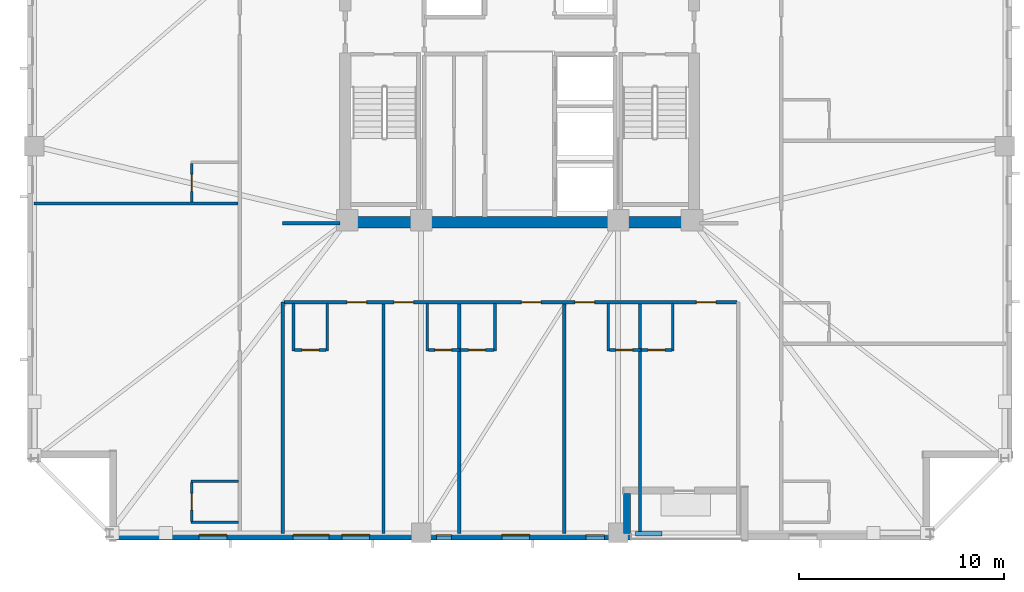
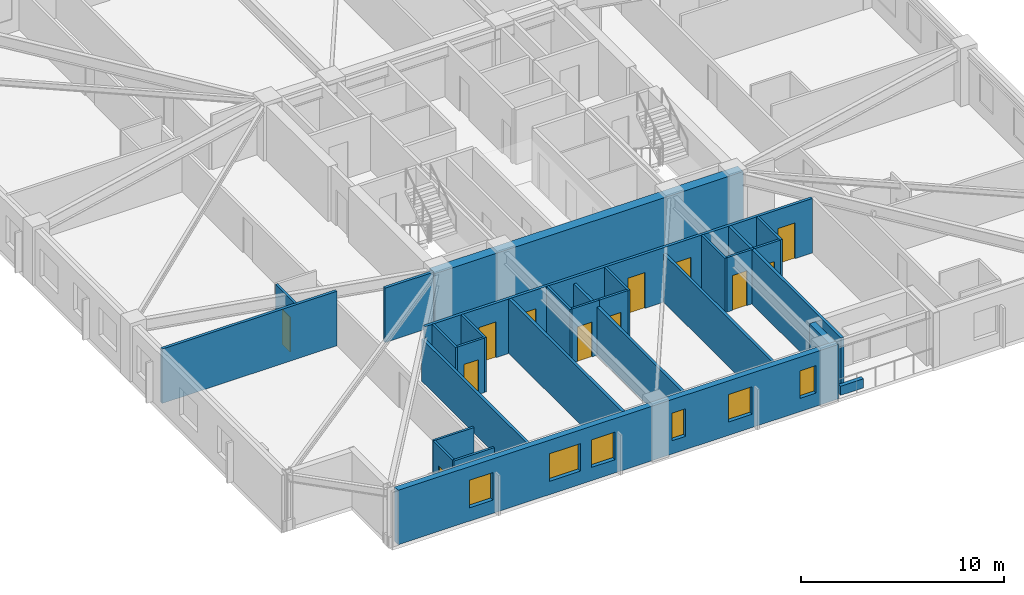
# One storey, part 2 of 11: 27 walls, 12 doors, 6 windows, 18 openings.
"""IFC4 building model written with IfcOpenShell, lengths in metres."""

import ifcopenshell
import ifcopenshell.guid

model = None  # the IFC model being written
_history = None  # IfcOwnerHistory: only IFC2X3 demands one
_inside = {}  # id of a spatial element -> (the spatial element, [elements in it])
_under = {}  # id of a project, library or spatial element -> (it, [spatial elements below it])
_declared = {}  # id of a project -> (the project, [libraries it declares])
_typed = {}  # id of a type object -> (the type object, [elements of that type])
_made_of = {}  # id of a material, layer set ... -> (it, [elements and type objects made of it])


def new_model(schema):
    """Start an empty IFC model of exactly this schema.

    Asked for "IFC4X3", IfcOpenShell would pick the latest addendum, in which some entities
    have other attributes; the version numbers below select the first issue.
    IFC2X3 requires an IfcOwnerHistory on every rooted entity: one is made here for all.
    """
    global model, _history
    if schema == "IFC4X3":
        model = ifcopenshell.file(schema_version=(4, 3, 0, 0))
    else:
        model = ifcopenshell.file(schema=schema)
    _inside.clear()
    _under.clear()
    _declared.clear()
    _typed.clear()
    _made_of.clear()
    _history = None
    if model.schema == "IFC2X3":
        org = make("IfcOrganization", Name="unknown")
        user = make(
            "IfcPersonAndOrganization",
            ThePerson=make("IfcPerson", FamilyName="unknown"),
            TheOrganization=org,
        )
        app = make(
            "IfcApplication",
            ApplicationDeveloper=org,
            Version="unknown",
            ApplicationFullName="unknown",
            ApplicationIdentifier="unknown",
        )
        _history = make(
            "IfcOwnerHistory",
            OwningUser=user,
            OwningApplication=app,
            ChangeAction="ADDED",
            CreationDate=0,
        )
    return model


def make(cls, **values):
    """One entity of the class cls with the attributes given. An attribute that is None is left unset."""
    return model.create_entity(
        cls, **{name: value for name, value in values.items() if value is not None}
    )


def rooted(cls, **values):
    """An entity with a GlobalId (a new one), such as an element, a storey or a relation."""
    return make(cls, GlobalId=ifcopenshell.guid.new(), OwnerHistory=_history, **values)


def si_unit(unit_type, name, prefix=None):
    """IfcSIUnit, for example si_unit("LENGTHUNIT", "METRE", prefix="MILLI")."""
    return make("IfcSIUnit", UnitType=unit_type, Prefix=prefix, Name=name)


def assignment(units):
    """IfcUnitAssignment: the units of a project."""
    return None if units is None else make("IfcUnitAssignment", Units=units)


def point(xyz):
    """IfcCartesianPoint."""
    return None if xyz is None else make("IfcCartesianPoint", Coordinates=xyz)


def direction(xyz):
    """IfcDirection."""
    return None if xyz is None else make("IfcDirection", DirectionRatios=xyz)


def frame(location, z_axis=None, x_axis=None):
    """IfcAxis2Placement3D, a coordinate frame: its origin and axes. An axis left out is left unset."""
    return make(
        "IfcAxis2Placement3D",
        Location=point(location),
        Axis=direction(z_axis),
        RefDirection=direction(x_axis),
    )


def frame_2d(location, x_axis=None):
    """IfcAxis2Placement2D, a coordinate frame in the plane: its origin and x axis."""
    return make(
        "IfcAxis2Placement2D", Location=point(location), RefDirection=direction(x_axis)
    )


def origin():
    """The frame at (0, 0, 0) with its axes left unset."""
    return frame((0.0, 0.0, 0.0))


def place(relative_to, where):
    """IfcLocalPlacement: puts the frame where relative to a parent placement (None: the world)."""
    return make(
        "IfcLocalPlacement", PlacementRelTo=relative_to, RelativePlacement=where
    )


def context(
    kind, dimensions, precision=None, world=None, true_north=None, identifier=None
):
    """IfcGeometricRepresentationContext, for example the 3D "Model" context."""
    return make(
        "IfcGeometricRepresentationContext",
        ContextIdentifier=identifier,
        ContextType=kind,
        CoordinateSpaceDimension=dimensions,
        Precision=precision,
        WorldCoordinateSystem=world,
        TrueNorth=true_north,
    )


def subcontext(parent, identifier, kind, view, scale=None):
    """IfcGeometricRepresentationSubContext, for example "Body" below "Model"."""
    return make(
        "IfcGeometricRepresentationSubContext",
        ContextIdentifier=identifier,
        ContextType=kind,
        ParentContext=parent,
        TargetScale=scale,
        TargetView=view,
    )


def project(units=None, contexts=None):
    """IfcProject with its units and contexts."""
    return rooted(
        "IfcProject",
        Name="project",
        RepresentationContexts=contexts,
        UnitsInContext=assignment(units),
    )


def spatial(cls, under=None, at=None, **own):
    """A site, building, storey or space (cls), placed at a placement, below another one or the project."""
    s = rooted(cls, ObjectPlacement=at, **own)
    if under is not None:
        _under.setdefault(under.id(), (under, []))[1].append(s)
    return s


def profile(cls, at=None, kind="AREA", **sizes):
    """A parametric profile (cls). Its sizes go by their IFC names, for example OverallWidth=200.0."""
    return make(cls, ProfileType=kind, Position=at, **sizes)


def rectangle(**sizes):
    """IfcRectangleProfileDef."""
    return profile("IfcRectangleProfileDef", **sizes)


def extrude(swept, where, along, depth):
    """IfcExtrudedAreaSolid: the profile swept, set in the frame where, extruded along a direction by depth."""
    return make(
        "IfcExtrudedAreaSolid",
        SweptArea=swept,
        Position=where,
        ExtrudedDirection=direction(along),
        Depth=depth,
    )


def shape(context_of_items, identifier, shape_type, items):
    """IfcShapeRepresentation: the items that make up one representation, for example the "Body"."""
    return make(
        "IfcShapeRepresentation",
        ContextOfItems=context_of_items,
        RepresentationIdentifier=identifier,
        RepresentationType=shape_type,
        Items=items,
    )


def material(Name=None, Category=None):
    """IfcMaterial."""
    return make("IfcMaterial", Name=Name, Category=Category)


def layer(
    of_material, thickness, ventilated=None, Name=None, Category=None, Priority=None
):
    """IfcMaterialLayer: one layer of a wall or slab, of a material (None: an air gap)."""
    return make(
        "IfcMaterialLayer",
        Material=of_material,
        LayerThickness=thickness,
        IsVentilated=ventilated,
        Name=Name,
        Category=Category,
        Priority=Priority,
    )


def layer_set(layers, Name=None):
    """IfcMaterialLayerSet."""
    return make("IfcMaterialLayerSet", MaterialLayers=layers, LayerSetName=Name)


def made_of(thing, what):
    """Note that an element or type object is made of a material, layer set ...; save() writes the relation."""
    if what is not None:
        _made_of.setdefault(what.id(), (what, []))[1].append(thing)
    return thing


def type_object(cls, material=None, **own):
    """A type object (cls), such as IfcWallType, which elements share."""
    return made_of(rooted(cls, **own), material)


def element(
    cls,
    number,
    at=None,
    inside=None,
    cuts=None,
    type_object=None,
    material=None,
    context=None,
    identifier="Body",
    shape_type=None,
    held_by="IfcProductDefinitionShape",
    body=None,
    shapes=None,
    **own,
):
    """One element of the class cls, such as IfcWall. Its Tag is "e" and its number.

    at: its placement. inside: the storey or other place that contains it. cuts: it is an
    opening in that element (IfcRelVoidsElement). A single representation is given by context,
    identifier, shape_type and body (its items); several are given by shapes. held_by: the class
    of the entity that holds the representations. save() writes the other relations.
    """
    e = rooted(cls, Tag="e%d" % number, ObjectPlacement=at, **own)
    if body is not None:
        shapes = [shape(context, identifier, shape_type, body)]
    if shapes is not None:
        e.Representation = make(held_by, Representations=shapes)
    if inside is not None:
        _inside.setdefault(inside.id(), (inside, []))[1].append(e)
    if cuts is not None:
        rooted(
            "IfcRelVoidsElement", RelatingBuildingElement=cuts, RelatedOpeningElement=e
        )
    if type_object is not None:
        _typed.setdefault(type_object.id(), (type_object, []))[1].append(e)
    return made_of(e, material)


def fill(opening, filler):
    """IfcRelFillsElement: the door or window that sits in an opening."""
    return rooted(
        "IfcRelFillsElement",
        RelatingOpeningElement=opening,
        RelatedBuildingElement=filler,
    )


def aggregate(whole, parts):
    """IfcRelAggregates: a whole, such as a stair, and the parts it consists of."""
    return rooted("IfcRelAggregates", RelatingObject=whole, RelatedObjects=parts)


def save(model, path):
    """Write the relations noted so far, then the file.

    IfcRelAggregates (storeys below a building ...), IfcRelContainedInSpatialStructure (elements
    in a storey), IfcRelDefinesByType, IfcRelAssociatesMaterial and IfcRelDeclares: one each for
    every whole, place, type object, material and project.
    """
    for whole, parts in _under.values():
        aggregate(whole, parts)
    for where, things in _inside.values():
        rooted(
            "IfcRelContainedInSpatialStructure",
            RelatedElements=things,
            RelatingStructure=where,
        )
    for kind, things in _typed.values():
        rooted("IfcRelDefinesByType", RelatedObjects=things, RelatingType=kind)
    for what, things in _made_of.values():
        rooted("IfcRelAssociatesMaterial", RelatedObjects=things, RelatingMaterial=what)
    for by, libraries in _declared.values():
        rooted("IfcRelDeclares", RelatingContext=by, RelatedDefinitions=libraries)
    model.write(path)


model = new_model("IFC4")

# Units and contexts
model_context = context("Model", 3, precision=1e-05, world=origin(), true_north=direction((0.0, 1.0)))
body_context = subcontext(model_context, "Body", "Model", "MODEL_VIEW")
ifc_project = project(units=[si_unit("LENGTHUNIT", "METRE"), si_unit("AREAUNIT", "SQUARE_METRE"), si_unit("VOLUMEUNIT", "CUBIC_METRE"), si_unit("PLANEANGLEUNIT", "RADIAN"), si_unit("MASSUNIT", "GRAM", prefix="KILO")], contexts=[model_context])

# Site, building, storey
site_placement = place(None, origin())
site = spatial("IfcSite", under=ifc_project, at=site_placement, CompositionType="ELEMENT")
building_placement = place(site_placement, origin())
building = spatial("IfcBuilding", under=site, at=building_placement, Name="Cairnveth Concourse Tower", CompositionType="ELEMENT")
storey_placement = place(building_placement, frame((0.0, 0.0, 162.0)))
storey = spatial("IfcBuildingStorey", under=building, at=storey_placement, Name="L44", CompositionType="ELEMENT", Elevation=162.0)

# Walls
ifc_material_1 = material(Name="Gypsum Plasterboard Partition", Category="gypsum")
ifc_layer_1 = layer(ifc_material_1, 0.159912109375)
ifc_layer_set_1 = layer_set([ifc_layer_1], Name="Gypsum Plasterboard Partition")
wall_type_1 = type_object("IfcWallType", Name="ACOUSTIC PARTY WALL 180", PredefinedType="PARTITIONING", material=ifc_layer_set_1)
wall_1_placement = place(storey_placement, frame((40.449951171875, 15.324951171875, 0.0), z_axis=(0.0, 0.0, 1.0), x_axis=(0.0, 1.0, 0.0)))
element("IfcWall", 1, at=wall_1_placement, inside=storey, type_object=wall_type_1, Name="Interior Wall IW-L44-037", PredefinedType="PARTITIONING", context=body_context, shape_type="SweptSolid", body=[
    extrude(rectangle(XDim=11.275146484375, YDim=0.159912109375, at=frame_2d((5.6376953125, 0.0))), origin(), (0.0, 0.0, 1.0), 2.554931640625),
])
wall_2_placement = place(storey_placement, frame((40.449951171875, 30.449951171875, 0.0), z_axis=(0.0, 0.0, 1.0), x_axis=(1.0, 0.0, 0.0)))
element("IfcWall", 2, at=wall_2_placement, inside=storey, type_object=wall_type_1, Name="Interior Wall IW-L44-039", PredefinedType="PARTITIONING", context=body_context, shape_type="SweptSolid", body=[
    extrude(rectangle(XDim=2.78515625, YDim=0.159912109375, at=frame_2d((1.392578125, 0.0))), origin(), (0.0, 0.0, 1.0), 3.280029296875),
])

# Wall, openings, doors
wall_3_placement = place(storey_placement, frame((40.514892578125, 26.60009765625, 0.0), z_axis=(0.0, 0.0, 1.0), x_axis=(1.0, 0.0, 0.0)))
wall_3 = element("IfcWall", 3, at=wall_3_placement, inside=storey, type_object=wall_type_1, Name="Interior Wall IW-L44-046", PredefinedType="PARTITIONING", context=body_context, shape_type="SweptSolid", body=[
    extrude(rectangle(XDim=22.070068359375, YDim=0.159912109375, at=frame_2d((11.03515625, 0.0))), origin(), (0.0, 0.0, 1.0), 3.280029296875),
])
opening_1_placement = place(wall_3_placement, frame((3.071533203125, 0.0, 0.0)))
opening_1 = element("IfcOpeningElement", 4, at=opening_1_placement, cuts=wall_3, Name="Opening ID09", PredefinedType="OPENING", context=body_context, shape_type="SweptSolid", body=[
    extrude(rectangle(XDim=0.9599609375, YDim=2.14990234375, at=frame_2d((0.47998046875, 1.074951171875))), frame((0.0, 0.08984375, 0.0), z_axis=(0.0, -1.0, 0.0), x_axis=(1.0, 0.0, 0.0)), (0.0, 0.0, 1.0), 0.179931640625),
])
opening_2_placement = place(wall_3_placement, frame((5.362060546875, 0.0, 0.0)))
opening_2 = element("IfcOpeningElement", 5, at=opening_2_placement, cuts=wall_3, Name="Opening ID09", PredefinedType="OPENING", context=body_context, shape_type="SweptSolid", body=[
    extrude(rectangle(XDim=0.9599609375, YDim=2.14990234375, at=frame_2d((0.47998046875, 1.074951171875))), frame((0.0, 0.08984375, 0.0), z_axis=(0.0, -1.0, 0.0), x_axis=(1.0, 0.0, 0.0)), (0.0, 0.0, 1.0), 0.179931640625),
])
opening_3_placement = place(wall_3_placement, frame((11.56591796875, 0.0, 0.0)))
opening_3 = element("IfcOpeningElement", 6, at=opening_3_placement, cuts=wall_3, Name="Opening ID09", PredefinedType="OPENING", context=body_context, shape_type="SweptSolid", body=[
    extrude(rectangle(XDim=0.9599609375, YDim=2.14990234375, at=frame_2d((0.47998046875, 1.074951171875))), frame((0.0, 0.08984375, 0.0), z_axis=(0.0, -1.0, 0.0), x_axis=(1.0, 0.0, 0.0)), (0.0, 0.0, 1.0), 0.179931640625),
])
opening_4_placement = place(wall_3_placement, frame((14.177978515625, 0.0, 0.0)))
opening_4 = element("IfcOpeningElement", 7, at=opening_4_placement, cuts=wall_3, Name="Opening ID09", PredefinedType="OPENING", context=body_context, shape_type="SweptSolid", body=[
    extrude(rectangle(XDim=0.9599609375, YDim=2.14990234375, at=frame_2d((0.47998046875, 1.074951171875))), frame((0.0, 0.08984375, 0.0), z_axis=(0.0, -1.0, 0.0), x_axis=(1.0, 0.0, 0.0)), (0.0, 0.0, 1.0), 0.179931640625),
])
opening_5_placement = place(wall_3_placement, frame((20.098876953125, 0.0, 0.0)))
opening_5 = element("IfcOpeningElement", 8, at=opening_5_placement, cuts=wall_3, Name="Opening ID09", PredefinedType="OPENING", context=body_context, shape_type="SweptSolid", body=[
    extrude(rectangle(XDim=0.9599609375, YDim=2.14990234375, at=frame_2d((0.47998046875, 1.074951171875))), frame((0.0, 0.08984375, 0.0), z_axis=(0.0, -1.0, 0.0), x_axis=(1.0, 0.0, 0.0)), (0.0, 0.0, 1.0), 0.179931640625),
])
ifc_material_2 = material(Name="Solid Core Hardwood Timber Leaf", Category="wood")
door_type_1 = type_object("IfcDoorType", Name="HOTEL ENTRANCE DOOR 960X2150", OperationType="NOTDEFINED", PredefinedType="DOOR", material=ifc_material_2)
door_1_placement = place(opening_1_placement, origin())
door_1 = element("IfcDoor", 9, at=door_1_placement, inside=storey, type_object=door_type_1, Name="Hotel Room Door L44-S1", OperationType="SINGLE_SWING_LEFT", OverallHeight=2.14990234375, OverallWidth=0.9599609375, PredefinedType="DOOR", context=body_context, shape_type="SweptSolid", body=[
    extrude(rectangle(XDim=0.9599609375, YDim=2.14990234375, at=frame_2d((0.47998046875, 1.074951171875))), frame((0.0, 0.02490234375, 0.0), z_axis=(0.0, -1.0, 0.0), x_axis=(1.0, 0.0, 0.0)), (0.0, 0.0, 1.0), 0.050048828125),
])
fill(opening_1, door_1)
door_2_placement = place(opening_2_placement, origin())
door_2 = element("IfcDoor", 10, at=door_2_placement, inside=storey, type_object=door_type_1, Name="Hotel Room Door L44-S2", OperationType="SINGLE_SWING_LEFT", OverallHeight=2.14990234375, OverallWidth=0.9599609375, PredefinedType="DOOR", context=body_context, shape_type="SweptSolid", body=[
    extrude(rectangle(XDim=0.9599609375, YDim=2.14990234375, at=frame_2d((0.47998046875, 1.074951171875))), frame((0.0, 0.02490234375, 0.0), z_axis=(0.0, -1.0, 0.0), x_axis=(1.0, 0.0, 0.0)), (0.0, 0.0, 1.0), 0.050048828125),
])
fill(opening_2, door_2)
door_3_placement = place(opening_3_placement, origin())
door_3 = element("IfcDoor", 11, at=door_3_placement, inside=storey, type_object=door_type_1, Name="Hotel Room Door L44-S3", OperationType="SINGLE_SWING_LEFT", OverallHeight=2.14990234375, OverallWidth=0.9599609375, PredefinedType="DOOR", context=body_context, shape_type="SweptSolid", body=[
    extrude(rectangle(XDim=0.9599609375, YDim=2.14990234375, at=frame_2d((0.47998046875, 1.074951171875))), frame((0.0, 0.02490234375, 0.0), z_axis=(0.0, -1.0, 0.0), x_axis=(1.0, 0.0, 0.0)), (0.0, 0.0, 1.0), 0.050048828125),
])
fill(opening_3, door_3)
door_4_placement = place(opening_4_placement, origin())
door_4 = element("IfcDoor", 12, at=door_4_placement, inside=storey, type_object=door_type_1, Name="Hotel Room Door L44-S4", OperationType="SINGLE_SWING_LEFT", OverallHeight=2.14990234375, OverallWidth=0.9599609375, PredefinedType="DOOR", context=body_context, shape_type="SweptSolid", body=[
    extrude(rectangle(XDim=0.9599609375, YDim=2.14990234375, at=frame_2d((0.47998046875, 1.074951171875))), frame((0.0, 0.02490234375, 0.0), z_axis=(0.0, -1.0, 0.0), x_axis=(1.0, 0.0, 0.0)), (0.0, 0.0, 1.0), 0.050048828125),
])
fill(opening_4, door_4)
door_5_placement = place(opening_5_placement, origin())
door_5 = element("IfcDoor", 13, at=door_5_placement, inside=storey, type_object=door_type_1, Name="Hotel Room Door L44-S5", OperationType="SINGLE_SWING_LEFT", OverallHeight=2.14990234375, OverallWidth=0.9599609375, PredefinedType="DOOR", context=body_context, shape_type="SweptSolid", body=[
    extrude(rectangle(XDim=0.9599609375, YDim=2.14990234375, at=frame_2d((0.47998046875, 1.074951171875))), frame((0.0, 0.02490234375, 0.0), z_axis=(0.0, -1.0, 0.0), x_axis=(1.0, 0.0, 0.0)), (0.0, 0.0, 1.0), 0.050048828125),
])
fill(opening_5, door_5)

# Walls
wall_4_placement = place(storey_placement, frame((45.360595703125, 15.324951171875, 0.0), z_axis=(0.0, 0.0, 1.0), x_axis=(0.0, 1.0, 0.0)))
element("IfcWall", 14, at=wall_4_placement, inside=storey, type_object=wall_type_1, Name="Interior Wall IW-L44-052", PredefinedType="PARTITIONING", context=body_context, shape_type="SweptSolid", body=[
    extrude(rectangle(XDim=11.195068359375, YDim=0.159912109375, at=frame_2d((5.59765625, 0.0))), origin(), (0.0, 0.0, 1.0), 3.280029296875),
])
for number, where, z_axis, x_axis, name in (
    (15, (49.053466796875, 15.324951171875, 0.0), (0.0, 0.0, 1.0), (0.0, 1.0, 0.0), "Interior Wall IW-L44-055"),
    (16, (54.176513671875, 15.324951171875, 0.0), (0.0, 0.0, 1.0), (0.0, 1.0, 0.0), "Interior Wall IW-L44-058"),
):
    element("IfcWall", number, at=place(storey_placement, frame(where, z_axis=z_axis, x_axis=x_axis)), inside=storey, type_object=wall_type_1, Name=name, PredefinedType="PARTITIONING", context=body_context, shape_type="SweptSolid", body=[
        extrude(rectangle(XDim=11.195068359375, YDim=0.159912109375, at=frame_2d((5.59765625, 0.0))), origin(), (0.0, 0.0, 1.0), 2.89599609375),
    ])
wall_5_placement = place(storey_placement, frame((57.869384765625, 15.4150390625, 0.0), z_axis=(0.0, 0.0, 1.0), x_axis=(0.0, 1.0, 0.0)))
element("IfcWall", 17, at=wall_5_placement, inside=storey, type_object=wall_type_1, Name="Interior Wall IW-L44-061", PredefinedType="PARTITIONING", context=body_context, shape_type="SweptSolid", body=[
    extrude(rectangle(XDim=11.10498046875, YDim=0.159912109375, at=frame_2d((5.552490234375, 0.0))), origin(), (0.0, 0.0, 1.0), 3.280029296875),
])
wall_6_placement = place(storey_placement, frame((28.324951171875, 31.41455078125, 0.0), z_axis=(0.0, 0.0, 1.0), x_axis=(1.0, 0.0, 0.0)))
element("IfcWall", 18, at=wall_6_placement, inside=storey, type_object=wall_type_1, Name="Interior Wall IW-L44-067", PredefinedType="PARTITIONING", context=body_context, shape_type="SweptSolid", body=[
    extrude(rectangle(XDim=9.945068359375, YDim=0.159912109375, at=frame_2d((4.97265625, 0.0))), origin(), (0.0, 0.0, 1.0), 3.280029296875),
])
ifc_material_3 = material(Name="Concrete N80 (80 MPa)", Category="concrete")
ifc_layer_2 = layer(ifc_material_3, 0.550048828125)
ifc_layer_set_2 = layer_set([ifc_layer_2], Name="Concrete N80 (80 MPa)")
wall_type_2 = type_object("IfcWallType", Name="CORE SHEAR WALL 550", PredefinedType="SHEAR", material=ifc_layer_set_2)
wall_7_placement = place(storey_placement, frame((43.22509765625, 30.5, 0.0), z_axis=(0.0, 0.0, 1.0), x_axis=(1.0, 0.0, 0.0)))
element("IfcWall", 19, at=wall_7_placement, inside=storey, type_object=wall_type_2, Name="Core South Shear Wall L44", PredefinedType="SHEAR", context=body_context, shape_type="SweptSolid", body=[
    extrude(rectangle(XDim=17.5498046875, YDim=0.550048828125, at=frame_2d((8.77490234375, 0.0))), origin(), (0.0, 0.0, 1.0), 3.280029296875),
])
ifc_material_4 = material(Name="Dressed Melbourne Bluestone Cladding", Category="masonry")
ifc_layer_3 = layer(ifc_material_4, 0.219970703125)
ifc_layer_set_3 = layer_set([ifc_layer_3], Name="Dressed Melbourne Bluestone Cladding")
wall_type_3 = type_object("IfcWallType", Name="TERRACE PLANTER CURB WALL 220", PredefinedType="PARAPET", material=ifc_layer_set_3)
wall_8_placement = place(storey_placement, frame((57.64990234375, 15.320068359375, 0.0), z_axis=(0.0, 0.0, 1.0), x_axis=(1.0, 0.0, 0.0)))
element("IfcWall", 20, at=wall_8_placement, inside=storey, type_object=wall_type_3, Name="Exterior Wall PLNT-L44-TERR", PredefinedType="PARAPET", context=body_context, shape_type="SweptSolid", body=[
    extrude(rectangle(XDim=1.300048828125, YDim=0.219970703125, at=frame_2d((0.64990234375, 0.0))), origin(), (0.0, 0.0, 1.0), 0.550048828125),
])
ifc_layer_4 = layer(ifc_material_1, 0.1298828125)
ifc_layer_set_4 = layer_set([ifc_layer_4], Name="Gypsum Plasterboard Partition")
wall_type_4 = type_object("IfcWallType", Name="WET AREA PARTITION 140", PredefinedType="PLUMBINGWALL", material=ifc_layer_set_4)
for number, where, z_axis, x_axis, name in (
    (21, (40.97998046875, 24.219970703125, 0.0), (0.0, 0.0, 1.0), (0.0, 1.0, 0.0), "Interior Wall IW-L44-049"),
    (22, (42.622314453125, 24.219970703125, 0.0), (0.0, 0.0, 1.0), (0.0, 1.0, 0.0), "Interior Wall IW-L44-050"),
):
    element("IfcWall", number, at=place(storey_placement, frame(where, z_axis=z_axis, x_axis=x_axis)), inside=storey, type_object=wall_type_4, Name=name, PredefinedType="PLUMBINGWALL", context=body_context, shape_type="SweptSolid", body=[
        extrude(rectangle(XDim=2.31494140625, YDim=0.1298828125, at=frame_2d((1.157470703125, 0.0))), origin(), (0.0, 0.0, 1.0), 3.280029296875),
    ])

# Wall, opening, door
wall_9_placement = place(storey_placement, frame((41.030029296875, 24.27001953125, 0.0), z_axis=(0.0, 0.0, 1.0), x_axis=(1.0, 0.0, 0.0)))
wall_9 = element("IfcWall", 23, at=wall_9_placement, inside=storey, type_object=wall_type_4, Name="Interior Wall IW-L44-051", PredefinedType="PLUMBINGWALL", context=body_context, shape_type="SweptSolid", body=[
    extrude(rectangle(XDim=1.54248046875, YDim=0.1298828125, at=frame_2d((0.771240234375, 0.0))), origin(), (0.0, 0.0, 1.0), 3.280029296875),
])
opening_6_placement = place(wall_9_placement, frame((0.361083984375, 0.0, 0.0)))
opening_6 = element("IfcOpeningElement", 24, at=opening_6_placement, cuts=wall_9, Name="Opening ID22", PredefinedType="OPENING", context=body_context, shape_type="SweptSolid", body=[
    extrude(rectangle(XDim=0.820068359375, YDim=2.10009765625, at=frame_2d((0.41015625, 1.050048828125))), frame((0.0, 0.074951171875, 0.0), z_axis=(0.0, -1.0, 0.0), x_axis=(1.0, 0.0, 0.0)), (0.0, 0.0, 1.0), 0.14990234375),
])
door_type_2 = type_object("IfcDoorType", Name="INTERIOR WC DOOR 820X2100", OperationType="NOTDEFINED", PredefinedType="DOOR", material=ifc_material_2)
door_6_placement = place(opening_6_placement, origin())
door_6 = element("IfcDoor", 25, at=door_6_placement, inside=storey, type_object=door_type_2, Name="En-Suite Door L44-S1", OperationType="SINGLE_SWING_RIGHT", OverallHeight=2.10009765625, OverallWidth=0.820068359375, PredefinedType="DOOR", context=body_context, shape_type="SweptSolid", body=[
    extrude(rectangle(XDim=0.820068359375, YDim=2.10009765625, at=frame_2d((0.41015625, 1.050048828125))), frame((0.0, 0.02490234375, 0.0), z_axis=(0.0, -1.0, 0.0), x_axis=(1.0, 0.0, 0.0)), (0.0, 0.0, 1.0), 0.050048828125),
])
fill(opening_6, door_6)

# Wall
wall_10_placement = place(storey_placement, frame((47.50341796875, 24.219970703125, 0.0), z_axis=(0.0, 0.0, 1.0), x_axis=(0.0, 1.0, 0.0)))
element("IfcWall", 26, at=wall_10_placement, inside=storey, type_object=wall_type_4, Name="Interior Wall IW-L44-053", PredefinedType="PLUMBINGWALL", context=body_context, shape_type="SweptSolid", body=[
    extrude(rectangle(XDim=2.31494140625, YDim=0.1298828125, at=frame_2d((1.157470703125, 0.0))), origin(), (0.0, 0.0, 1.0), 3.280029296875),
])

# Wall, opening, door
wall_11_placement = place(storey_placement, frame((47.553466796875, 24.27001953125, 0.0), z_axis=(0.0, 0.0, 1.0), x_axis=(1.0, 0.0, 0.0)))
wall_11 = element("IfcWall", 27, at=wall_11_placement, inside=storey, type_object=wall_type_4, Name="Interior Wall IW-L44-054", PredefinedType="PLUMBINGWALL", context=body_context, shape_type="SweptSolid", body=[
    extrude(rectangle(XDim=1.550048828125, YDim=0.1298828125, at=frame_2d((0.77490234375, 0.0))), origin(), (0.0, 0.0, 1.0), 3.280029296875),
])
opening_7_placement = place(wall_11_placement, frame((0.31494140625, 0.0, 0.0)))
opening_7 = element("IfcOpeningElement", 28, at=opening_7_placement, cuts=wall_11, Name="Opening ID22", PredefinedType="OPENING", context=body_context, shape_type="SweptSolid", body=[
    extrude(rectangle(XDim=0.820068359375, YDim=2.10009765625, at=frame_2d((0.41015625, 1.050048828125))), frame((0.0, 0.074951171875, 0.0), z_axis=(0.0, -1.0, 0.0), x_axis=(1.0, 0.0, 0.0)), (0.0, 0.0, 1.0), 0.14990234375),
])
door_7_placement = place(opening_7_placement, origin())
door_7 = element("IfcDoor", 29, at=door_7_placement, inside=storey, type_object=door_type_2, Name="En-Suite Door L44-S2", OperationType="SINGLE_SWING_RIGHT", OverallHeight=2.10009765625, OverallWidth=0.820068359375, PredefinedType="DOOR", context=body_context, shape_type="SweptSolid", body=[
    extrude(rectangle(XDim=0.820068359375, YDim=2.10009765625, at=frame_2d((0.41015625, 1.050048828125))), frame((0.0, 0.02490234375, 0.0), z_axis=(0.0, -1.0, 0.0), x_axis=(1.0, 0.0, 0.0)), (0.0, 0.0, 1.0), 0.050048828125),
])
fill(opening_7, door_7)

# Wall
wall_12_placement = place(storey_placement, frame((50.79541015625, 24.219970703125, 0.0), z_axis=(0.0, 0.0, 1.0), x_axis=(0.0, 1.0, 0.0)))
element("IfcWall", 30, at=wall_12_placement, inside=storey, type_object=wall_type_4, Name="Interior Wall IW-L44-056", PredefinedType="PLUMBINGWALL", context=body_context, shape_type="SweptSolid", body=[
    extrude(rectangle(XDim=2.31494140625, YDim=0.1298828125, at=frame_2d((1.157470703125, 0.0))), origin(), (0.0, 0.0, 1.0), 3.280029296875),
])

# Wall, opening, door
wall_13_placement = place(storey_placement, frame((49.118408203125, 24.27001953125, 0.0), z_axis=(0.0, 0.0, 1.0), x_axis=(1.0, 0.0, 0.0)))
wall_13 = element("IfcWall", 31, at=wall_13_placement, inside=storey, type_object=wall_type_4, Name="Interior Wall IW-L44-057", PredefinedType="PLUMBINGWALL", context=body_context, shape_type="SweptSolid", body=[
    extrude(rectangle(XDim=1.626953125, YDim=0.1298828125, at=frame_2d((0.8134765625, 0.0))), origin(), (0.0, 0.0, 1.0), 3.280029296875),
])
opening_8_placement = place(wall_13_placement, frame((0.39599609375, 0.0, 0.0)))
opening_8 = element("IfcOpeningElement", 32, at=opening_8_placement, cuts=wall_13, Name="Opening ID22", PredefinedType="OPENING", context=body_context, shape_type="SweptSolid", body=[
    extrude(rectangle(XDim=0.820068359375, YDim=2.10009765625, at=frame_2d((0.41015625, 1.050048828125))), frame((0.0, 0.074951171875, 0.0), z_axis=(0.0, -1.0, 0.0), x_axis=(1.0, 0.0, 0.0)), (0.0, 0.0, 1.0), 0.14990234375),
])
door_8_placement = place(opening_8_placement, origin())
door_8 = element("IfcDoor", 33, at=door_8_placement, inside=storey, type_object=door_type_2, Name="En-Suite Door L44-S3", OperationType="SINGLE_SWING_RIGHT", OverallHeight=2.10009765625, OverallWidth=0.820068359375, PredefinedType="DOOR", context=body_context, shape_type="SweptSolid", body=[
    extrude(rectangle(XDim=0.820068359375, YDim=2.10009765625, at=frame_2d((0.41015625, 1.050048828125))), frame((0.0, 0.02490234375, 0.0), z_axis=(0.0, -1.0, 0.0), x_axis=(1.0, 0.0, 0.0)), (0.0, 0.0, 1.0), 0.050048828125),
])
fill(opening_8, door_8)

# Wall
wall_14_placement = place(storey_placement, frame((56.319580078125, 24.219970703125, 0.0), z_axis=(0.0, 0.0, 1.0), x_axis=(0.0, 1.0, 0.0)))
element("IfcWall", 34, at=wall_14_placement, inside=storey, type_object=wall_type_4, Name="Interior Wall IW-L44-059", PredefinedType="PLUMBINGWALL", context=body_context, shape_type="SweptSolid", body=[
    extrude(rectangle(XDim=2.31494140625, YDim=0.1298828125, at=frame_2d((1.157470703125, 0.0))), origin(), (0.0, 0.0, 1.0), 3.280029296875),
])

# Wall, opening, door
wall_15_placement = place(storey_placement, frame((56.369384765625, 24.27001953125, 0.0), z_axis=(0.0, 0.0, 1.0), x_axis=(1.0, 0.0, 0.0)))
wall_15 = element("IfcWall", 35, at=wall_15_placement, inside=storey, type_object=wall_type_4, Name="Interior Wall IW-L44-060", PredefinedType="PLUMBINGWALL", context=body_context, shape_type="SweptSolid", body=[
    extrude(rectangle(XDim=1.550048828125, YDim=0.1298828125, at=frame_2d((0.77490234375, 0.0))), origin(), (0.0, 0.0, 1.0), 3.280029296875),
])
opening_9_placement = place(wall_15_placement, frame((0.31494140625, 0.0, 0.0)))
opening_9 = element("IfcOpeningElement", 36, at=opening_9_placement, cuts=wall_15, Name="Opening ID22", PredefinedType="OPENING", context=body_context, shape_type="SweptSolid", body=[
    extrude(rectangle(XDim=0.820068359375, YDim=2.10009765625, at=frame_2d((0.41015625, 1.050048828125))), frame((0.0, 0.074951171875, 0.0), z_axis=(0.0, -1.0, 0.0), x_axis=(1.0, 0.0, 0.0)), (0.0, 0.0, 1.0), 0.14990234375),
])
door_9_placement = place(opening_9_placement, origin())
door_9 = element("IfcDoor", 37, at=door_9_placement, inside=storey, type_object=door_type_2, Name="En-Suite Door L44-S4", OperationType="SINGLE_SWING_RIGHT", OverallHeight=2.10009765625, OverallWidth=0.820068359375, PredefinedType="DOOR", context=body_context, shape_type="SweptSolid", body=[
    extrude(rectangle(XDim=0.820068359375, YDim=2.10009765625, at=frame_2d((0.41015625, 1.050048828125))), frame((0.0, 0.02490234375, 0.0), z_axis=(0.0, -1.0, 0.0), x_axis=(1.0, 0.0, 0.0)), (0.0, 0.0, 1.0), 0.050048828125),
])
fill(opening_9, door_9)

# Wall
wall_16_placement = place(storey_placement, frame((59.4677734375, 24.219970703125, 0.0), z_axis=(0.0, 0.0, 1.0), x_axis=(0.0, 1.0, 0.0)))
element("IfcWall", 38, at=wall_16_placement, inside=storey, type_object=wall_type_4, Name="Interior Wall IW-L44-062", PredefinedType="PLUMBINGWALL", context=body_context, shape_type="SweptSolid", body=[
    extrude(rectangle(XDim=2.31494140625, YDim=0.1298828125, at=frame_2d((1.157470703125, 0.0))), origin(), (0.0, 0.0, 1.0), 3.280029296875),
])

# Wall, opening, door
wall_17_placement = place(storey_placement, frame((57.9345703125, 24.27001953125, 0.0), z_axis=(0.0, 0.0, 1.0), x_axis=(1.0, 0.0, 0.0)))
wall_17 = element("IfcWall", 39, at=wall_17_placement, inside=storey, type_object=wall_type_4, Name="Interior Wall IW-L44-063", PredefinedType="PLUMBINGWALL", context=body_context, shape_type="SweptSolid", body=[
    extrude(rectangle(XDim=1.483154296875, YDim=0.1298828125, at=frame_2d((0.74169921875, 0.0))), origin(), (0.0, 0.0, 1.0), 3.280029296875),
])
opening_10_placement = place(wall_17_placement, frame((0.32421875, 0.0, 0.0)))
opening_10 = element("IfcOpeningElement", 40, at=opening_10_placement, cuts=wall_17, Name="Opening ID22", PredefinedType="OPENING", context=body_context, shape_type="SweptSolid", body=[
    extrude(rectangle(XDim=0.820068359375, YDim=2.10009765625, at=frame_2d((0.41015625, 1.050048828125))), frame((0.0, 0.074951171875, 0.0), z_axis=(0.0, -1.0, 0.0), x_axis=(1.0, 0.0, 0.0)), (0.0, 0.0, 1.0), 0.14990234375),
])
door_10_placement = place(opening_10_placement, origin())
door_10 = element("IfcDoor", 41, at=door_10_placement, inside=storey, type_object=door_type_2, Name="En-Suite Door L44-S5", OperationType="SINGLE_SWING_RIGHT", OverallHeight=2.10009765625, OverallWidth=0.820068359375, PredefinedType="DOOR", context=body_context, shape_type="SweptSolid", body=[
    extrude(rectangle(XDim=0.820068359375, YDim=2.10009765625, at=frame_2d((0.41015625, 1.050048828125))), frame((0.0, 0.02490234375, 0.0), z_axis=(0.0, -1.0, 0.0), x_axis=(1.0, 0.0, 0.0)), (0.0, 0.0, 1.0), 0.050048828125),
])
fill(opening_10, door_10)

# Walls
for number, where, z_axis, x_axis, name in (
    (42, (35.969970703125, 15.8701171875, 0.0), (0.0, 0.0, 1.0), (1.0, 0.0, 0.0), "Interior Wall IW-L44-064"),
    (43, (35.969970703125, 17.8701171875, 0.0), (0.0, 0.0, 1.0), (1.0, 0.0, 0.0), "Interior Wall IW-L44-065"),
):
    element("IfcWall", number, at=place(storey_placement, frame(where, z_axis=z_axis, x_axis=x_axis)), inside=storey, type_object=wall_type_4, Name=name, PredefinedType="PLUMBINGWALL", context=body_context, shape_type="SweptSolid", body=[
        extrude(rectangle(XDim=2.31494140625, YDim=0.1298828125, at=frame_2d((1.157470703125, 0.0))), origin(), (0.0, 0.0, 1.0), 3.280029296875),
    ])

# Wall, opening, door
wall_18_placement = place(storey_placement, frame((36.02001953125, 15.919921875, 0.0), z_axis=(0.0, 0.0, 1.0), x_axis=(0.0, 1.0, 0.0)))
wall_18 = element("IfcWall", 44, at=wall_18_placement, inside=storey, type_object=wall_type_4, Name="Interior Wall IW-L44-066", PredefinedType="PLUMBINGWALL", context=body_context, shape_type="SweptSolid", body=[
    extrude(rectangle(XDim=1.900146484375, YDim=0.1298828125, at=frame_2d((0.9501953125, 0.0))), origin(), (0.0, 0.0, 1.0), 3.280029296875),
])
opening_11_placement = place(wall_18_placement, frame((0.5400390625, 0.0, 0.0)))
opening_11 = element("IfcOpeningElement", 45, at=opening_11_placement, cuts=wall_18, Name="Opening ID22", PredefinedType="OPENING", context=body_context, shape_type="SweptSolid", body=[
    extrude(rectangle(XDim=0.820068359375, YDim=2.10009765625, at=frame_2d((0.41015625, 1.050048828125))), frame((0.0, 0.074951171875, 0.0), z_axis=(0.0, -1.0, 0.0), x_axis=(1.0, 0.0, 0.0)), (0.0, 0.0, 1.0), 0.14990234375),
])
door_11_placement = place(opening_11_placement, origin())
door_11 = element("IfcDoor", 46, at=door_11_placement, inside=storey, type_object=door_type_2, Name="En-Suite Door L44-W1", OperationType="SINGLE_SWING_RIGHT", OverallHeight=2.10009765625, OverallWidth=0.820068359375, PredefinedType="DOOR", context=body_context, shape_type="SweptSolid", body=[
    extrude(rectangle(XDim=0.820068359375, YDim=2.10009765625, at=frame_2d((0.41015625, 1.050048828125))), frame((0.0, 0.02490234375, 0.0), z_axis=(0.0, -1.0, 0.0), x_axis=(1.0, 0.0, 0.0)), (0.0, 0.0, 1.0), 0.050048828125),
])
fill(opening_11, door_11)

wall_19_placement = place(storey_placement, frame((36.02001953125, 31.4794921875, 0.0), z_axis=(0.0, 0.0, 1.0), x_axis=(0.0, 1.0, 0.0)))
wall_19 = element("IfcWall", 47, at=wall_19_placement, inside=storey, type_object=wall_type_4, Name="Interior Wall IW-L44-069", PredefinedType="PLUMBINGWALL", context=body_context, shape_type="SweptSolid", body=[
    extrude(rectangle(XDim=1.885009765625, YDim=0.1298828125, at=frame_2d((0.9423828125, 0.0))), origin(), (0.0, 0.0, 1.0), 3.280029296875),
])
opening_12_placement = place(wall_19_placement, frame((0.52490234375, 0.0, 0.0)))
opening_12 = element("IfcOpeningElement", 48, at=opening_12_placement, cuts=wall_19, Name="Opening ID22", PredefinedType="OPENING", context=body_context, shape_type="SweptSolid", body=[
    extrude(rectangle(XDim=0.820068359375, YDim=2.10009765625, at=frame_2d((0.41015625, 1.050048828125))), frame((0.0, 0.074951171875, 0.0), z_axis=(0.0, -1.0, 0.0), x_axis=(1.0, 0.0, 0.0)), (0.0, 0.0, 1.0), 0.14990234375),
])
door_12_placement = place(opening_12_placement, origin())
door_12 = element("IfcDoor", 49, at=door_12_placement, inside=storey, type_object=door_type_2, Name="En-Suite Door L44-W2", OperationType="SINGLE_SWING_RIGHT", OverallHeight=2.10009765625, OverallWidth=0.820068359375, PredefinedType="DOOR", context=body_context, shape_type="SweptSolid", body=[
    extrude(rectangle(XDim=0.820068359375, YDim=2.10009765625, at=frame_2d((0.41015625, 1.050048828125))), frame((0.0, 0.02490234375, 0.0), z_axis=(0.0, -1.0, 0.0), x_axis=(1.0, 0.0, 0.0)), (0.0, 0.0, 1.0), 0.050048828125),
])
fill(opening_12, door_12)

# Wall, openings, windows
ifc_material_5 = material(Name="Hawthorn Red-Ochre Fired Clay Brick Masonry", Category="masonry")
ifc_layer_5 = layer(ifc_material_5, 0.340087890625)
ifc_layer_set_5 = layer_set([ifc_layer_5], Name="Hawthorn Red-Ochre Fired Clay Brick Masonry")
wall_type_5 = type_object("IfcWallType", Name="ZONE 2 BRICK PIER SPANDREL WALL 340", PredefinedType="SOLIDWALL", material=ifc_layer_set_5)
wall_20_placement = place(storey_placement, frame((57.39990234375, 15.169921875, 0.0), z_axis=(0.0, 0.0, 1.0), x_axis=(-1.0, 0.0, 0.0)))
wall_20 = element("IfcWall", 50, at=wall_20_placement, inside=storey, type_object=wall_type_5, Name="Exterior Wall EW-L44-S00", PredefinedType="SOLIDWALL", context=body_context, shape_type="SweptSolid", body=[
    extrude(rectangle(XDim=25.081787109375, YDim=0.340087890625, at=frame_2d((12.541015625, 0.0))), origin(), (0.0, 0.0, 1.0), 3.280029296875),
])
opening_13_placement = place(wall_20_placement, frame((4.9130859375, 0.0, 0.800048828125)))
opening_13 = element("IfcOpeningElement", 51, at=opening_13_placement, cuts=wall_20, Name="Opening W02", PredefinedType="OPENING", context=body_context, shape_type="SweptSolid", body=[
    extrude(rectangle(XDim=1.35009765625, YDim=1.659912109375, at=frame_2d((0.675048828125, 0.830078125))), frame((0.0, 0.179931640625, 0.0), z_axis=(0.0, -1.0, 0.0), x_axis=(1.0, 0.0, 0.0)), (0.0, 0.0, 1.0), 0.360107421875),
])
opening_14_placement = place(wall_20_placement, frame((12.716064453125, 0.0, 0.800048828125)))
opening_14 = element("IfcOpeningElement", 52, at=opening_14_placement, cuts=wall_20, Name="Opening W02", PredefinedType="OPENING", context=body_context, shape_type="SweptSolid", body=[
    extrude(rectangle(XDim=1.35009765625, YDim=1.659912109375, at=frame_2d((0.675048828125, 0.830078125))), frame((0.0, 0.179931640625, 0.0), z_axis=(0.0, -1.0, 0.0), x_axis=(1.0, 0.0, 0.0)), (0.0, 0.0, 1.0), 0.360107421875),
])
opening_15_placement = place(wall_20_placement, frame((14.6923828125, 0.0, 0.800048828125)))
opening_15 = element("IfcOpeningElement", 53, at=opening_15_placement, cuts=wall_20, Name="Opening W06", PredefinedType="OPENING", context=body_context, shape_type="SweptSolid", body=[
    extrude(rectangle(XDim=1.75, YDim=1.659912109375, at=frame_2d((0.875, 0.830078125))), frame((0.0, 0.179931640625, 0.0), z_axis=(0.0, -1.0, 0.0), x_axis=(1.0, 0.0, 0.0)), (0.0, 0.0, 1.0), 0.360107421875),
])
opening_16_placement = place(wall_20_placement, frame((19.668701171875, 0.0, 0.800048828125)))
opening_16 = element("IfcOpeningElement", 54, at=opening_16_placement, cuts=wall_20, Name="Opening W02", PredefinedType="OPENING", context=body_context, shape_type="SweptSolid", body=[
    extrude(rectangle(XDim=1.35009765625, YDim=1.659912109375, at=frame_2d((0.675048828125, 0.830078125))), frame((0.0, 0.179931640625, 0.0), z_axis=(0.0, -1.0, 0.0), x_axis=(1.0, 0.0, 0.0)), (0.0, 0.0, 1.0), 0.360107421875),
])
opening_17_placement = place(wall_20_placement, frame((8.7099609375, 0.0, 0.800048828125)))
opening_17 = element("IfcOpeningElement", 55, at=opening_17_placement, cuts=wall_20, Name="Opening W14", PredefinedType="OPENING", context=body_context, shape_type="SweptSolid", body=[
    extrude(rectangle(XDim=0.75, YDim=1.659912109375, at=frame_2d((0.375, 0.830078125))), frame((0.0, 0.179931640625, 0.0), z_axis=(0.0, -1.0, 0.0), x_axis=(1.0, 0.0, 0.0)), (0.0, 0.0, 1.0), 0.360107421875),
])
opening_18_placement = place(wall_20_placement, frame((1.27001953125, 0.0, 0.800048828125)))
opening_18 = element("IfcOpeningElement", 56, at=opening_18_placement, cuts=wall_20, Name="Opening W13", PredefinedType="OPENING", context=body_context, shape_type="SweptSolid", body=[
    extrude(rectangle(XDim=0.89990234375, YDim=1.659912109375, at=frame_2d((0.449951171875, 0.830078125))), frame((0.0, 0.179931640625, 0.0), z_axis=(0.0, -1.0, 0.0), x_axis=(1.0, 0.0, 0.0)), (0.0, 0.0, 1.0), 0.360107421875),
])
ifc_material_6 = material(Name="Double Glazed Low-E Clear Glass", Category="glass")
window_type_1 = type_object("IfcWindowType", Name="DEEP-SET BEDROOM LANCET WINDOW 900X1750", PartitioningType="DOUBLE_PANEL_VERTICAL", PredefinedType="WINDOW", material=ifc_material_6)
window_1_placement = place(opening_18_placement, origin())
window_1 = element("IfcWindow", 57, at=window_1_placement, inside=storey, type_object=window_type_1, Name="Dwelling Lancet Window L44-DW2", OverallHeight=1.659912109375, OverallWidth=0.89990234375, PartitioningType="SINGLE_PANEL", PredefinedType="WINDOW", context=body_context, shape_type="SweptSolid", body=[
    extrude(rectangle(XDim=0.89990234375, YDim=1.659912109375, at=frame_2d((0.449951171875, 0.830078125))), frame((0.0, -0.0400390625, 0.0), z_axis=(0.0, -1.0, 0.0), x_axis=(1.0, 0.0, 0.0)), (0.0, 0.0, 1.0), 0.06005859375),
])
fill(opening_18, window_1)
window_type_2 = type_object("IfcWindowType", Name="DEEP-SET GOTHIC LANCET WINDOW 1350X1800", PartitioningType="DOUBLE_PANEL_VERTICAL", PredefinedType="WINDOW", material=ifc_material_6)
window_2_placement = place(opening_13_placement, origin())
window_2 = element("IfcWindow", 58, at=window_2_placement, inside=storey, type_object=window_type_2, Name="Gothic Lancet Window L44-0-1", OverallHeight=1.659912109375, OverallWidth=1.35009765625, PartitioningType="SINGLE_PANEL", PredefinedType="WINDOW", context=body_context, shape_type="SweptSolid", body=[
    extrude(rectangle(XDim=1.35009765625, YDim=1.659912109375, at=frame_2d((0.675048828125, 0.830078125))), frame((0.0, -0.050048828125, 0.0), z_axis=(0.0, -1.0, 0.0), x_axis=(1.0, 0.0, 0.0)), (0.0, 0.0, 1.0), 0.06005859375),
])
fill(opening_13, window_2)
window_3_placement = place(opening_14_placement, origin())
window_3 = element("IfcWindow", 59, at=window_3_placement, inside=storey, type_object=window_type_2, Name="Gothic Lancet Window L44-0-3", OverallHeight=1.659912109375, OverallWidth=1.35009765625, PartitioningType="SINGLE_PANEL", PredefinedType="WINDOW", context=body_context, shape_type="SweptSolid", body=[
    extrude(rectangle(XDim=1.35009765625, YDim=1.659912109375, at=frame_2d((0.675048828125, 0.830078125))), frame((0.0, -0.050048828125, 0.0), z_axis=(0.0, -1.0, 0.0), x_axis=(1.0, 0.0, 0.0)), (0.0, 0.0, 1.0), 0.06005859375),
])
fill(opening_14, window_3)
window_4_placement = place(opening_16_placement, origin())
window_4 = element("IfcWindow", 60, at=window_4_placement, inside=storey, type_object=window_type_2, Name="Gothic Lancet Window L44-0-5", OverallHeight=1.659912109375, OverallWidth=1.35009765625, PartitioningType="SINGLE_PANEL", PredefinedType="WINDOW", context=body_context, shape_type="SweptSolid", body=[
    extrude(rectangle(XDim=1.35009765625, YDim=1.659912109375, at=frame_2d((0.675048828125, 0.830078125))), frame((0.0, -0.050048828125, 0.0), z_axis=(0.0, -1.0, 0.0), x_axis=(1.0, 0.0, 0.0)), (0.0, 0.0, 1.0), 0.06005859375),
])
fill(opening_16, window_4)
window_type_3 = type_object("IfcWindowType", Name="DEEP-SET HOTEL SUITE WINDOW 1750X1800", PartitioningType="DOUBLE_PANEL_VERTICAL", PredefinedType="WINDOW", material=ifc_material_6)
window_5_placement = place(opening_15_placement, origin())
window_5 = element("IfcWindow", 61, at=window_5_placement, inside=storey, type_object=window_type_3, Name="Gothic Lancet Window L44-0-4", OverallHeight=1.659912109375, OverallWidth=1.75, PartitioningType="SINGLE_PANEL", PredefinedType="WINDOW", context=body_context, shape_type="SweptSolid", body=[
    extrude(rectangle(XDim=1.75, YDim=1.659912109375, at=frame_2d((0.875, 0.830078125))), frame((0.0, -0.050048828125, 0.0), z_axis=(0.0, -1.0, 0.0), x_axis=(1.0, 0.0, 0.0)), (0.0, 0.0, 1.0), 0.06005859375),
])
fill(opening_15, window_5)
window_type_4 = type_object("IfcWindowType", Name="DEEP-SET NARROW LANCET WINDOW 750X1750", PartitioningType="DOUBLE_PANEL_VERTICAL", PredefinedType="WINDOW", material=ifc_material_6)
window_6_placement = place(opening_17_placement, origin())
window_6 = element("IfcWindow", 62, at=window_6_placement, inside=storey, type_object=window_type_4, Name="Dwelling Lancet Window L44-DW1", OverallHeight=1.659912109375, OverallWidth=0.75, PartitioningType="SINGLE_PANEL", PredefinedType="WINDOW", context=body_context, shape_type="SweptSolid", body=[
    extrude(rectangle(XDim=0.75, YDim=1.659912109375, at=frame_2d((0.375, 0.830078125))), frame((0.0, -0.0400390625, 0.0), z_axis=(0.0, -1.0, 0.0), x_axis=(1.0, 0.0, 0.0)), (0.0, 0.0, 1.0), 0.06005859375),
])
fill(opening_17, window_6)

# Wall
wall_21_placement = place(storey_placement, frame((57.22998046875, 17.27197265625, 0.0), z_axis=(0.0, 0.0, 1.0), x_axis=(0.0, -1.0, 0.0)))
element("IfcWall", 63, at=wall_21_placement, inside=storey, type_object=wall_type_5, Name="Exterior Wall EW-L44-S15", PredefinedType="SOLIDWALL", context=body_context, shape_type="SweptSolid", body=[
    extrude(rectangle(XDim=1.953857421875, YDim=0.340087890625, at=frame_2d((0.97705078125, 0.0))), origin(), (0.0, 0.0, 1.0), 3.280029296875),
])

save(model, "model.ifc")
